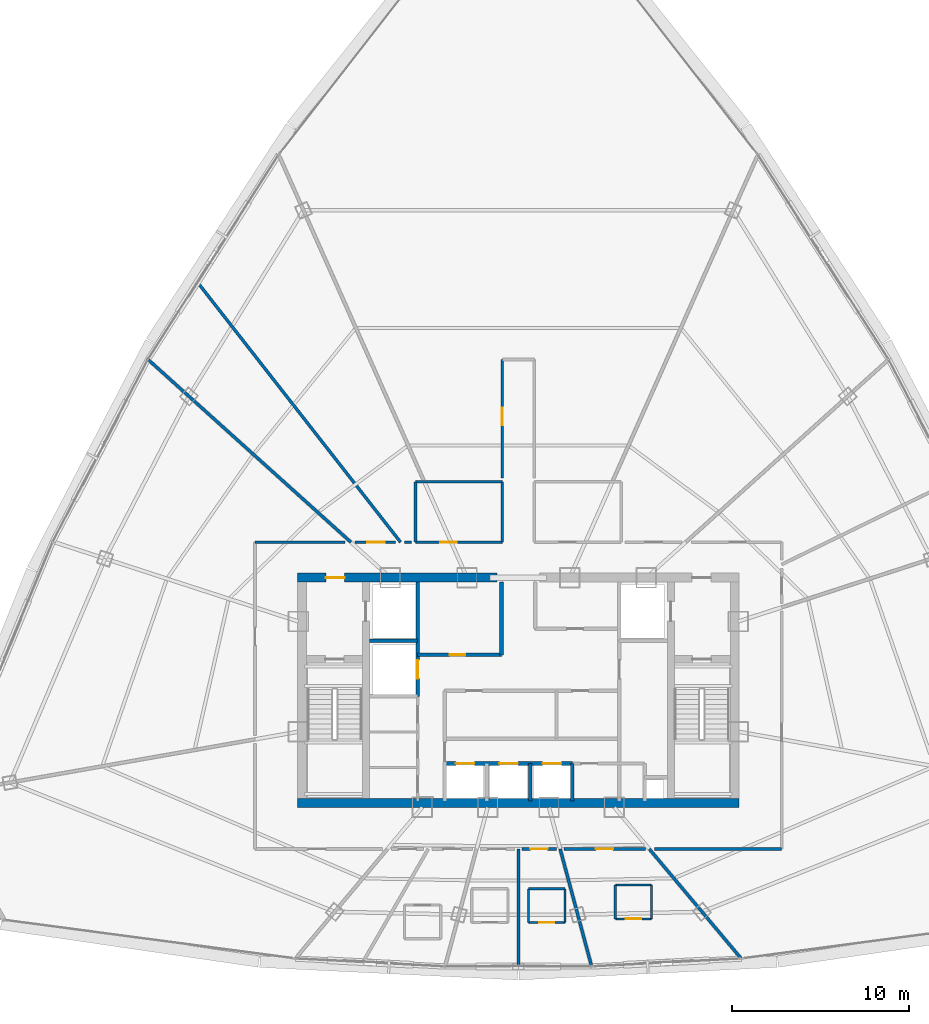
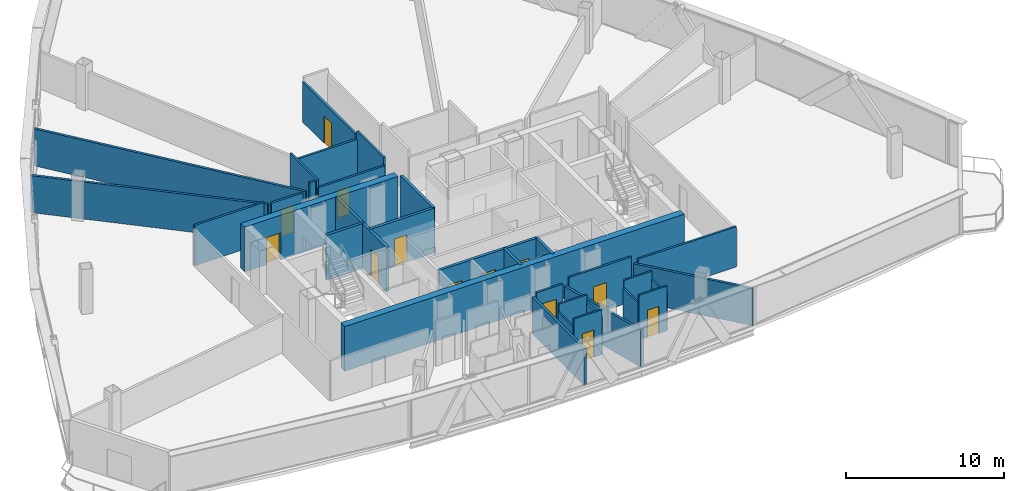
# One storey, part 32 of 37: 33 walls, 13 doors, 13 openings.
"""IFC4 building model written with IfcOpenShell, lengths in metres."""

from ifc_helpers import new_model, si_unit, direction, frame, frame_2d, origin, origin_with_axes, place, context, subcontext, project, spatial, rectangle, extrude, source, transform, mapped, material, layer, layer_set, type_object, element, fill, save


model = new_model("IFC4")

# Units and contexts
model_context = context("Model", 3, precision=1e-05, world=origin(), true_north=direction((0.0, 1.0)))
body_context = subcontext(model_context, "Body", "Model", "MODEL_VIEW")
ifc_project = project(units=[si_unit("LENGTHUNIT", "METRE"), si_unit("AREAUNIT", "SQUARE_METRE"), si_unit("VOLUMEUNIT", "CUBIC_METRE"), si_unit("PLANEANGLEUNIT", "RADIAN"), si_unit("MASSUNIT", "GRAM", prefix="KILO"), si_unit("THERMODYNAMICTEMPERATUREUNIT", "KELVIN"), si_unit("POWERUNIT", "WATT")], contexts=[model_context])

# Site, building, storey
site_placement = place(None, origin())
site = spatial("IfcSite", under=ifc_project, at=site_placement, CompositionType="ELEMENT")
building_placement = place(site_placement, origin())
building = spatial("IfcBuilding", under=site, at=building_placement, Name="Yunzhuo Pagoda Commons", CompositionType="ELEMENT")
storey_placement = place(building_placement, frame((0.0, 0.0, 277.56005859375)))
storey = spatial("IfcBuildingStorey", under=building, at=storey_placement, Name="L69", CompositionType="ELEMENT", Elevation=277.56005859375)

# Wall
ifc_material_1 = material(Name="Concrete C50", Category="concrete")
ifc_layer_1 = layer(ifc_material_1, 0.5)
ifc_layer_set_1 = layer_set([ifc_layer_1], Name="Concrete C50")
wall_type_1 = type_object("IfcWallType", Name="W-C03 Upper Core Shear Wall 500", PredefinedType="SHEAR", material=ifc_layer_set_1)
wall_1_placement = place(storey_placement, frame((35.550048828125, 27.5, 0.0), z_axis=(0.0, 0.0, 1.0), x_axis=(1.0, 0.0, 0.0)))
element("IfcWall", 1, at=wall_1_placement, inside=storey, type_object=wall_type_1, Name="L69 core shear wall S", PredefinedType="SHEAR", context=body_context, shape_type="SweptSolid", body=[
    extrude(rectangle(XDim=24.89990234375, YDim=0.5, at=frame_2d((12.449951171875, 0.0))), origin(), (0.0, 0.0, 1.0), 3.469970703125),
])

# Wall, opening, door
wall_2_placement = place(storey_placement, frame((35.550048828125, 40.199951171875, 0.0), z_axis=(0.0, 0.0, 1.0), x_axis=(1.0, 0.0, 0.0)))
wall_2 = element("IfcWall", 2, at=wall_2_placement, inside=storey, type_object=wall_type_1, Name="L69 core shear wall NW", PredefinedType="SHEAR", context=body_context, shape_type="SweptSolid", body=[
    extrude(rectangle(XDim=11.25, YDim=0.5, at=frame_2d((5.625, 0.0))), origin(), (0.0, 0.0, 1.0), 3.469970703125),
])
opening_1_placement = place(wall_2_placement, frame((1.60009765625, 0.0, 0.0)))
opening_1 = element("IfcOpeningElement", 3, at=opening_1_placement, cuts=wall_2, Name="Opening D-02", PredefinedType="OPENING", context=body_context, shape_type="SweptSolid", body=[
    extrude(rectangle(XDim=1.050048828125, YDim=2.10009765625, at=frame_2d((0.52490234375, 1.050048828125))), frame((0.0, 0.260009765625, 0.0), z_axis=(0.0, -1.0, 0.0), x_axis=(1.0, 0.0, 0.0)), (0.0, 0.0, 1.0), 0.52001953125),
])
ifc_material_2 = material(Name="Galvanized fire-resisting metal leaf")
door_type_1 = type_object("IfcDoorType", Name="D-02 Firefighting Lobby & Refuge Fire Door 1050x2100", OperationType="NOTDEFINED", PredefinedType="DOOR", material=ifc_material_2)
shared_shape_1 = source(origin(), body_context, "Body", "SweptSolid", [
    extrude(rectangle(XDim=1.050048828125, YDim=2.10009765625, at=frame_2d((0.52490234375, 1.050048828125))), frame((0.0, 0.02490234375, 0.0), z_axis=(0.0, -1.0, 0.0), x_axis=(1.0, 0.0, 0.0)), (0.0, 0.0, 1.0), 0.050048828125),
])
door_1_placement = place(opening_1_placement, frame((1.050048828125, 0.0, 0.0), z_axis=(0.0, 0.0, 1.0), x_axis=(-1.0, 0.0, 0.0)))
door_1 = element("IfcDoor", 4, at=door_1_placement, inside=storey, type_object=door_type_1, Name="L69 Firefighting Lobby 1 fire door", OperationType="SINGLE_SWING_LEFT", OverallHeight=2.10009765625, OverallWidth=1.050048828125, PredefinedType="DOOR", context=body_context, shape_type="MappedRepresentation", body=[
    mapped(shared_shape_1, transform((0.0, 0.0, 0.0), scale=1.0)),
])
fill(opening_1, door_1)

ifc_material_3 = material(Name="Gypsum plasterboard on acoustic stud")
ifc_layer_2 = layer(ifc_material_3, 0.14990234375)
ifc_layer_set_2 = layer_set([ifc_layer_2], Name="Gypsum plasterboard on acoustic stud")
wall_type_2 = type_object("IfcWallType", Name="W-COR3 High-Zone Rated Corridor Wall 150", PredefinedType="PARTITIONING", material=ifc_layer_set_2)
wall_3_placement = place(storey_placement, frame((42.199951171875, 42.199951171875, 0.0), z_axis=(0.0, 0.0, 1.0), x_axis=(1.0, 0.0, 0.0)))
wall_3 = element("IfcWall", 5, at=wall_3_placement, inside=storey, type_object=wall_type_2, Name="L69 interior wall IW-L69-TFWS", PredefinedType="PARTITIONING", context=body_context, shape_type="SweptSolid", body=[
    extrude(rectangle(XDim=4.900146484375, YDim=0.14990234375, at=frame_2d((2.4501953125, 0.0))), origin(), (0.0, 0.0, 1.0), 2.869873046875),
])
opening_2_placement = place(wall_3_placement, frame((1.39990234375, 0.0, 0.0)))
opening_2 = element("IfcOpeningElement", 6, at=opening_2_placement, cuts=wall_3, Name="Opening D-04", PredefinedType="OPENING", context=body_context, shape_type="SweptSolid", body=[
    extrude(rectangle(XDim=0.919921875, YDim=2.10009765625, at=frame_2d((0.4599609375, 1.050048828125))), frame((0.0, 0.0849609375, 0.0), z_axis=(0.0, -1.0, 0.0), x_axis=(1.0, 0.0, 0.0)), (0.0, 0.0, 1.0), 0.169921875),
])
ifc_material_4 = material(Name="Powder-coated aluminium and timber acoustic leaf", Category="wood")
door_type_2 = type_object("IfcDoorType", Name="D-04 Bedroom & Study Interior Door 920x2100", OperationType="NOTDEFINED", PredefinedType="DOOR", material=ifc_material_4)
shared_shape_2 = source(origin(), body_context, "Body", "SweptSolid", [
    extrude(rectangle(XDim=0.919921875, YDim=2.10009765625, at=frame_2d((0.4599609375, 1.050048828125))), frame((0.0, 0.02490234375, 0.0), z_axis=(0.0, -1.0, 0.0), x_axis=(1.0, 0.0, 0.0)), (0.0, 0.0, 1.0), 0.050048828125),
])
door_2_placement = place(opening_2_placement, frame((0.919921875, 0.0, 0.0), z_axis=(0.0, 0.0, 1.0), x_axis=(-1.0, 0.0, 0.0)))
door_2 = element("IfcDoor", 7, at=door_2_placement, inside=storey, type_object=door_type_2, Name="L69 laundry door", OperationType="SINGLE_SWING_LEFT", OverallHeight=2.10009765625, OverallWidth=0.919921875, PredefinedType="DOOR", context=body_context, shape_type="MappedRepresentation", body=[
    mapped(shared_shape_2, transform((0.0, 0.0, 0.0), scale=1.0)),
])
fill(opening_2, door_2)

# Walls
wall_4_placement = place(storey_placement, frame((42.199951171875, 45.60009765625, 0.0), z_axis=(0.0, 0.0, 1.0), x_axis=(1.0, 0.0, 0.0)))
element("IfcWall", 8, at=wall_4_placement, inside=storey, type_object=wall_type_2, Name="L69 interior wall IW-L69-TFWN", PredefinedType="PARTITIONING", context=body_context, shape_type="SweptSolid", body=[
    extrude(rectangle(XDim=4.900146484375, YDim=0.14990234375, at=frame_2d((2.4501953125, 0.0))), origin(), (0.0, 0.0, 1.0), 2.869873046875),
])
for number, where, z_axis, x_axis, name in (
    (9, (42.199951171875, 42.199951171875, 0.0), (0.0, 0.0, 1.0), (0.0, 1.0, 0.0), "L69 interior wall IW-L69-TFWW"),
    (10, (47.10009765625, 42.199951171875, 0.0), (0.0, 0.0, 1.0), (0.0, 1.0, 0.0), "L69 interior wall IW-L69-TFWE"),
):
    element("IfcWall", number, at=place(storey_placement, frame(where, z_axis=z_axis, x_axis=x_axis)), inside=storey, type_object=wall_type_2, Name=name, PredefinedType="PARTITIONING", context=body_context, shape_type="SweptSolid", body=[
        extrude(rectangle(XDim=3.400146484375, YDim=0.14990234375, at=frame_2d((1.7001953125, 0.0))), origin(), (0.0, 0.0, 1.0), 3.469970703125),
    ])
wall_5_placement = place(storey_placement, frame((33.14990234375, 42.199951171875, 0.0), z_axis=(0.0, 0.0, 1.0), x_axis=(1.0, 0.0, 0.0)))
element("IfcWall", 11, at=wall_5_placement, inside=storey, type_object=wall_type_2, Name="L69 interior wall IW-L69-CWL03", PredefinedType="PARTITIONING", context=body_context, shape_type="SweptSolid", body=[
    extrude(rectangle(XDim=5.0810546875, YDim=0.14990234375, at=frame_2d((2.54052734375, 0.0))), origin(), (0.0, 0.0, 1.0), 3.119873046875),
])

# Wall, opening, door
wall_6_placement = place(storey_placement, frame((38.779541015625, 42.199951171875, 0.0), z_axis=(0.0, 0.0, 1.0), x_axis=(1.0, 0.0, 0.0)))
wall_6 = element("IfcWall", 12, at=wall_6_placement, inside=storey, type_object=wall_type_2, Name="L69 interior wall IW-L69-CWL04", PredefinedType="PARTITIONING", context=body_context, shape_type="SweptSolid", body=[
    extrude(rectangle(XDim=2.30029296875, YDim=0.14990234375, at=frame_2d((1.150146484375, 0.0))), origin(), (0.0, 0.0, 1.0), 2.869873046875),
])
opening_3_placement = place(wall_6_placement, frame((0.705078125, 0.0, 0.0)))
opening_3 = element("IfcOpeningElement", 13, at=opening_3_placement, cuts=wall_6, Name="Opening D-08", PredefinedType="OPENING", context=body_context, shape_type="SweptSolid", body=[
    extrude(rectangle(XDim=0.97998046875, YDim=2.1201171875, at=frame_2d((0.489990234375, 1.06005859375))), frame((0.0, 0.0849609375, 0.0), z_axis=(0.0, -1.0, 0.0), x_axis=(1.0, 0.0, 0.0)), (0.0, 0.0, 1.0), 0.169921875),
])
door_type_3 = type_object("IfcDoorType", Name="D-08 High-Zone Suite Entrance Fire Door 980x2120", OperationType="NOTDEFINED", PredefinedType="DOOR", material=ifc_material_2)
shared_shape_3 = source(origin(), body_context, "Body", "SweptSolid", [
    extrude(rectangle(XDim=0.97998046875, YDim=2.1201171875, at=frame_2d((0.489990234375, 1.06005859375))), frame((0.0, 0.02490234375, 0.0), z_axis=(0.0, -1.0, 0.0), x_axis=(1.0, 0.0, 0.0)), (0.0, 0.0, 1.0), 0.050048828125),
])
door_3_placement = place(opening_3_placement, origin_with_axes())
door_3 = element("IfcDoor", 14, at=door_3_placement, inside=storey, type_object=door_type_3, Name="L69 unit 06 entrance door", OperationType="SINGLE_SWING_RIGHT", OverallHeight=2.1201171875, OverallWidth=0.97998046875, PredefinedType="DOOR", context=body_context, shape_type="MappedRepresentation", body=[
    mapped(shared_shape_3, transform((0.0, 0.0, 0.0), scale=1.0)),
])
fill(opening_3, door_3)

# Wall
wall_7_placement = place(storey_placement, frame((41.578857421875, 42.199951171875, 0.0), z_axis=(0.0, 0.0, 1.0), x_axis=(1.0, 0.0, 0.0)))
element("IfcWall", 15, at=wall_7_placement, inside=storey, type_object=wall_type_2, Name="L69 interior wall IW-L69-CWL05", PredefinedType="PARTITIONING", context=body_context, shape_type="SweptSolid", body=[
    extrude(rectangle(XDim=0.401123046875, YDim=0.14990234375, at=frame_2d((0.20068359375, 0.0))), origin(), (0.0, 0.0, 1.0), 3.469970703125),
])

# Wall, opening, door
wall_8_placement = place(storey_placement, frame((47.10009765625, 45.820068359375, 0.0), z_axis=(0.0, 0.0, 1.0), x_axis=(0.0, 1.0, 0.0)))
wall_8 = element("IfcWall", 16, at=wall_8_placement, inside=storey, type_object=wall_type_2, Name="L69 interior wall IW-L69-CWL06", PredefinedType="PARTITIONING", context=body_context, shape_type="SweptSolid", body=[
    extrude(rectangle(XDim=6.679931640625, YDim=0.14990234375, at=frame_2d((3.33984375, 0.0))), origin(), (0.0, 0.0, 1.0), 3.119873046875),
])
opening_4_placement = place(wall_8_placement, frame((2.985107421875, 0.0, 0.0)))
opening_4 = element("IfcOpeningElement", 17, at=opening_4_placement, cuts=wall_8, Name="Opening D-08", PredefinedType="OPENING", context=body_context, shape_type="SweptSolid", body=[
    extrude(rectangle(XDim=0.97998046875, YDim=2.1201171875, at=frame_2d((0.489990234375, 1.06005859375))), frame((0.0, 0.0849609375, 0.0), z_axis=(0.0, -1.0, 0.0), x_axis=(1.0, 0.0, 0.0)), (0.0, 0.0, 1.0), 0.169921875),
])
door_4_placement = place(opening_4_placement, origin_with_axes())
door_4 = element("IfcDoor", 18, at=door_4_placement, inside=storey, type_object=door_type_3, Name="L69 unit 04 entrance door", OperationType="SINGLE_SWING_RIGHT", OverallHeight=2.1201171875, OverallWidth=0.97998046875, PredefinedType="DOOR", context=body_context, shape_type="MappedRepresentation", body=[
    mapped(shared_shape_3, transform((0.0, 0.0, 0.0), scale=1.0)),
])
fill(opening_4, door_4)

# Wall
wall_9_placement = place(storey_placement, frame((62.85009765625, 24.89990234375, 0.0), z_axis=(0.0, 0.0, 1.0), x_axis=(-1.0, 0.0, 0.0)))
element("IfcWall", 19, at=wall_9_placement, inside=storey, type_object=wall_type_2, Name="L69 interior wall IW-L69-CWL14", PredefinedType="PARTITIONING", context=body_context, shape_type="SweptSolid", body=[
    extrude(rectangle(XDim=7.1787109375, YDim=0.14990234375, at=frame_2d((3.58935546875, 0.0))), origin(), (0.0, 0.0, 1.0), 3.119873046875),
])

# Wall, opening, door
wall_10_placement = place(storey_placement, frame((55.164306640625, 24.89990234375, 0.0), z_axis=(0.0, 0.0, 1.0), x_axis=(-1.0, 0.0, 0.0)))
wall_10 = element("IfcWall", 20, at=wall_10_placement, inside=storey, type_object=wall_type_2, Name="L69 interior wall IW-L69-CWL15", PredefinedType="PARTITIONING", context=body_context, shape_type="SweptSolid", body=[
    extrude(rectangle(XDim=4.57861328125, YDim=0.14990234375, at=frame_2d((2.289306640625, 0.0))), origin(), (0.0, 0.0, 1.0), 3.469970703125),
])
opening_5_placement = place(wall_10_placement, frame((1.818115234375, 0.0, 0.0)))
opening_5 = element("IfcOpeningElement", 21, at=opening_5_placement, cuts=wall_10, Name="Opening D-08", PredefinedType="OPENING", context=body_context, shape_type="SweptSolid", body=[
    extrude(rectangle(XDim=0.97998046875, YDim=2.1201171875, at=frame_2d((0.489990234375, 1.06005859375))), frame((0.0, 0.0849609375, 0.0), z_axis=(0.0, -1.0, 0.0), x_axis=(1.0, 0.0, 0.0)), (0.0, 0.0, 1.0), 0.169921875),
])
door_5_placement = place(opening_5_placement, origin_with_axes())
door_5 = element("IfcDoor", 22, at=door_5_placement, inside=storey, type_object=door_type_3, Name="L69 unit 13 entrance door", OperationType="SINGLE_SWING_LEFT", OverallHeight=2.1201171875, OverallWidth=0.97998046875, PredefinedType="DOOR", context=body_context, shape_type="MappedRepresentation", body=[
    mapped(shared_shape_3, transform((0.0, 0.0, 0.0), scale=1.0)),
])
fill(opening_5, door_5)

wall_11_placement = place(storey_placement, frame((50.13818359375, 24.89990234375, 0.0), z_axis=(0.0, 0.0, 1.0), x_axis=(-1.0, 0.0, 0.0)))
wall_11 = element("IfcWall", 23, at=wall_11_placement, inside=storey, type_object=wall_type_2, Name="L69 interior wall IW-L69-CWL16", PredefinedType="PARTITIONING", context=body_context, shape_type="SweptSolid", body=[
    extrude(rectangle(XDim=1.918212890625, YDim=0.14990234375, at=frame_2d((0.958984375, 0.0))), origin(), (0.0, 0.0, 1.0), 3.119873046875),
])
opening_6_placement = place(wall_11_placement, frame((0.484130859375, 0.0, 0.0)))
opening_6 = element("IfcOpeningElement", 24, at=opening_6_placement, cuts=wall_11, Name="Opening D-08", PredefinedType="OPENING", context=body_context, shape_type="SweptSolid", body=[
    extrude(rectangle(XDim=0.97998046875, YDim=2.1201171875, at=frame_2d((0.489990234375, 1.06005859375))), frame((0.0, 0.0849609375, 0.0), z_axis=(0.0, -1.0, 0.0), x_axis=(1.0, 0.0, 0.0)), (0.0, 0.0, 1.0), 0.169921875),
])
door_6_placement = place(opening_6_placement, origin_with_axes())
door_6 = element("IfcDoor", 25, at=door_6_placement, inside=storey, type_object=door_type_3, Name="L69 unit 12 entrance door", OperationType="SINGLE_SWING_RIGHT", OverallHeight=2.1201171875, OverallWidth=0.97998046875, PredefinedType="DOOR", context=body_context, shape_type="MappedRepresentation", body=[
    mapped(shared_shape_3, transform((0.0, 0.0, 0.0), scale=1.0)),
])
fill(opening_6, door_6)

ifc_layer_3 = layer(ifc_material_3, 0.1201171875)
ifc_layer_set_3 = layer_set([ifc_layer_3], Name="Gypsum plasterboard on acoustic stud")
wall_type_3 = type_object("IfcWallType", Name="W-PRT1 Suite & Bathroom Partition 120", PredefinedType="PARTITIONING", material=ifc_layer_set_3)
wall_12_placement = place(storey_placement, frame((48.576904296875, 20.758056640625, 0.0), z_axis=(0.0, 0.0, 1.0), x_axis=(1.0, 0.0, 0.0)))
wall_12 = element("IfcWall", 26, at=wall_12_placement, inside=storey, type_object=wall_type_3, Name="L69 interior wall IW-L69-B12S", PredefinedType="PARTITIONING", context=body_context, shape_type="SweptSolid", body=[
    extrude(rectangle(XDim=2.050048828125, YDim=0.1201171875, at=frame_2d((1.02490234375, 0.0))), origin(), (0.0, 0.0, 1.0), 3.469970703125),
])
opening_7_placement = place(wall_12_placement, frame((0.60009765625, 0.0, 0.0)))
opening_7 = element("IfcOpeningElement", 27, at=opening_7_placement, cuts=wall_12, Name="Opening D-05", PredefinedType="OPENING", context=body_context, shape_type="SweptSolid", body=[
    extrude(rectangle(XDim=0.85009765625, YDim=2.10009765625, at=frame_2d((0.425048828125, 1.050048828125))), frame((0.0, 0.070068359375, 0.0), z_axis=(0.0, -1.0, 0.0), x_axis=(1.0, 0.0, 0.0)), (0.0, 0.0, 1.0), 0.14013671875),
])
door_type_4 = type_object("IfcDoorType", Name="D-05 En-Suite Bathroom Door 850x2100", OperationType="NOTDEFINED", PredefinedType="DOOR", material=ifc_material_4)
shared_shape_4 = source(origin(), body_context, "Body", "SweptSolid", [
    extrude(rectangle(XDim=0.85009765625, YDim=2.10009765625, at=frame_2d((0.425048828125, 1.050048828125))), frame((0.0, 0.02490234375, 0.0), z_axis=(0.0, -1.0, 0.0), x_axis=(1.0, 0.0, 0.0)), (0.0, 0.0, 1.0), 0.050048828125),
])
door_7_placement = place(opening_7_placement, frame((0.85009765625, 0.0, 0.0), z_axis=(0.0, 0.0, 1.0), x_axis=(-1.0, 0.0, 0.0)))
door_7 = element("IfcDoor", 28, at=door_7_placement, inside=storey, type_object=door_type_4, Name="L69 unit 12 bathroom door", OperationType="SINGLE_SWING_RIGHT", OverallHeight=2.10009765625, OverallWidth=0.85009765625, PredefinedType="DOOR", context=body_context, shape_type="MappedRepresentation", body=[
    mapped(shared_shape_4, transform((0.0, 0.0, 0.0), scale=1.0)),
])
fill(opening_7, door_7)

# Walls
wall_13_placement = place(storey_placement, frame((50.626953125, 20.758056640625, 0.0), z_axis=(0.0, 0.0, 1.0), x_axis=(0.0, 1.0, 0.0)))
element("IfcWall", 29, at=wall_13_placement, inside=storey, type_object=wall_type_3, Name="L69 interior wall IW-L69-B12E", PredefinedType="PARTITIONING", context=body_context, shape_type="SweptSolid", body=[
    extrude(rectangle(XDim=1.89990234375, YDim=0.1201171875, at=frame_2d((0.949951171875, 0.0))), origin(), (0.0, 0.0, 1.0), 2.869873046875),
])
wall_14_placement = place(storey_placement, frame((50.626953125, 22.657958984375, 0.0), z_axis=(0.0, 0.0, 1.0), x_axis=(-1.0, 0.0, 0.0)))
element("IfcWall", 30, at=wall_14_placement, inside=storey, type_object=wall_type_3, Name="L69 interior wall IW-L69-B12N", PredefinedType="PARTITIONING", context=body_context, shape_type="SweptSolid", body=[
    extrude(rectangle(XDim=2.050048828125, YDim=0.1201171875, at=frame_2d((1.02490234375, 0.0))), origin(), (0.0, 0.0, 1.0), 3.469970703125),
])
wall_15_placement = place(storey_placement, frame((48.576904296875, 22.657958984375, 0.0), z_axis=(0.0, 0.0, 1.0), x_axis=(0.0, -1.0, 0.0)))
element("IfcWall", 31, at=wall_15_placement, inside=storey, type_object=wall_type_3, Name="L69 interior wall IW-L69-B12W", PredefinedType="PARTITIONING", context=body_context, shape_type="SweptSolid", body=[
    extrude(rectangle(XDim=1.89990234375, YDim=0.1201171875, at=frame_2d((0.949951171875, 0.0))), origin(), (0.0, 0.0, 1.0), 2.869873046875),
])

# Wall, opening, door
wall_16_placement = place(storey_placement, frame((53.467041015625, 20.962890625, 0.0), z_axis=(0.0, 0.0, 1.0), x_axis=(1.0, 0.0, 0.0)))
wall_16 = element("IfcWall", 32, at=wall_16_placement, inside=storey, type_object=wall_type_3, Name="L69 interior wall IW-L69-B13S", PredefinedType="PARTITIONING", context=body_context, shape_type="SweptSolid", body=[
    extrude(rectangle(XDim=2.050048828125, YDim=0.1201171875, at=frame_2d((1.02490234375, 0.0))), origin(), (0.0, 0.0, 1.0), 3.469970703125),
])
opening_8_placement = place(wall_16_placement, frame((0.60009765625, 0.0, 0.0)))
opening_8 = element("IfcOpeningElement", 33, at=opening_8_placement, cuts=wall_16, Name="Opening D-05", PredefinedType="OPENING", context=body_context, shape_type="SweptSolid", body=[
    extrude(rectangle(XDim=0.85009765625, YDim=2.10009765625, at=frame_2d((0.425048828125, 1.050048828125))), frame((0.0, 0.070068359375, 0.0), z_axis=(0.0, -1.0, 0.0), x_axis=(1.0, 0.0, 0.0)), (0.0, 0.0, 1.0), 0.14013671875),
])
door_8_placement = place(opening_8_placement, frame((0.85009765625, 0.0, 0.0), z_axis=(0.0, 0.0, 1.0), x_axis=(-1.0, 0.0, 0.0)))
door_8 = element("IfcDoor", 34, at=door_8_placement, inside=storey, type_object=door_type_4, Name="L69 unit 13 bathroom door", OperationType="SINGLE_SWING_LEFT", OverallHeight=2.10009765625, OverallWidth=0.85009765625, PredefinedType="DOOR", context=body_context, shape_type="MappedRepresentation", body=[
    mapped(shared_shape_4, transform((0.0, 0.0, 0.0), scale=1.0)),
])
fill(opening_8, door_8)

# Walls
wall_17_placement = place(storey_placement, frame((55.51708984375, 20.962890625, 0.0), z_axis=(0.0, 0.0, 1.0), x_axis=(0.0, 1.0, 0.0)))
element("IfcWall", 35, at=wall_17_placement, inside=storey, type_object=wall_type_3, Name="L69 interior wall IW-L69-B13E", PredefinedType="PARTITIONING", context=body_context, shape_type="SweptSolid", body=[
    extrude(rectangle(XDim=1.900146484375, YDim=0.1201171875, at=frame_2d((0.9501953125, 0.0))), origin(), (0.0, 0.0, 1.0), 2.869873046875),
])
wall_18_placement = place(storey_placement, frame((55.51708984375, 22.863037109375, 0.0), z_axis=(0.0, 0.0, 1.0), x_axis=(-1.0, 0.0, 0.0)))
element("IfcWall", 36, at=wall_18_placement, inside=storey, type_object=wall_type_3, Name="L69 interior wall IW-L69-B13N", PredefinedType="PARTITIONING", context=body_context, shape_type="SweptSolid", body=[
    extrude(rectangle(XDim=2.050048828125, YDim=0.1201171875, at=frame_2d((1.02490234375, 0.0))), origin(), (0.0, 0.0, 1.0), 3.469970703125),
])
wall_19_placement = place(storey_placement, frame((53.467041015625, 22.863037109375, 0.0), z_axis=(0.0, 0.0, 1.0), x_axis=(0.0, -1.0, 0.0)))
element("IfcWall", 37, at=wall_19_placement, inside=storey, type_object=wall_type_3, Name="L69 interior wall IW-L69-B13W", PredefinedType="PARTITIONING", context=body_context, shape_type="SweptSolid", body=[
    extrude(rectangle(XDim=1.900146484375, YDim=0.1201171875, at=frame_2d((0.9501953125, 0.0))), origin(), (0.0, 0.0, 1.0), 2.869873046875),
])
ifc_layer_4 = layer(ifc_material_3, 0.169921875)
ifc_layer_set_4 = layer_set([ifc_layer_4], Name="Gypsum plasterboard on acoustic stud")
wall_type_4 = type_object("IfcWallType", Name="W-PRT4 High-Zone Demising Wall 170", PredefinedType="PARTITIONING", material=ifc_layer_set_4)
wall_20_placement = place(storey_placement, frame((41.359130859375, 42.199951171875, 0.0), z_axis=(0.0, 0.0, 1.0), x_axis=(-0.615658553978, 0.788013036005, 0.0)))
element("IfcWall", 38, at=wall_20_placement, inside=storey, type_object=wall_type_4, Name="L69 interior wall IW-L69-RAD06", PredefinedType="PARTITIONING", context=body_context, shape_type="SweptSolid", body=[
    extrude(rectangle(XDim=18.608642578125, YDim=0.169921875, at=frame_2d((9.30419921875, 0.0))), origin(), (0.0, 0.0, 1.0), 2.869873046875),
])
wall_21_placement = place(storey_placement, frame((38.559814453125, 42.199951171875, 0.0), z_axis=(0.0, 0.0, 1.0), x_axis=(-0.743145118403, 0.669130281032, 0.0)))
element("IfcWall", 39, at=wall_21_placement, inside=storey, type_object=wall_type_4, Name="L69 interior wall IW-L69-RAD07", PredefinedType="PARTITIONING", context=body_context, shape_type="SweptSolid", body=[
    extrude(rectangle(XDim=15.3974609375, YDim=0.169921875, at=frame_2d((7.69873046875, 0.0))), origin(), (0.0, 0.0, 1.0), 2.869873046875),
])
wall_22_placement = place(storey_placement, frame((48.0, 24.89990234375, 0.0), z_axis=(0.0, 0.0, 1.0), x_axis=(0.0, -1.0, 0.0)))
element("IfcWall", 40, at=wall_22_placement, inside=storey, type_object=wall_type_4, Name="L69 interior wall IW-L69-RAD12", PredefinedType="PARTITIONING", context=body_context, shape_type="SweptSolid", body=[
    extrude(rectangle(XDim=6.624755859375, YDim=0.169921875, at=frame_2d((3.3125, 0.0))), origin(), (0.0, 0.0, 1.0), 2.869873046875),
])
wall_23_placement = place(storey_placement, frame((50.35791015625, 24.89990234375, 0.0), z_axis=(0.0, 0.0, 1.0), x_axis=(0.258825643191, -0.965924058312, 0.0)))
element("IfcWall", 41, at=wall_23_placement, inside=storey, type_object=wall_type_4, Name="L69 interior wall IW-L69-RAD13", PredefinedType="PARTITIONING", context=body_context, shape_type="SweptSolid", body=[
    extrude(rectangle(XDim=6.8583984375, YDim=0.169921875, at=frame_2d((3.42919921875, 0.0))), origin(), (0.0, 0.0, 1.0), 2.869873046875),
])
wall_24_placement = place(storey_placement, frame((55.384033203125, 24.89990234375, 0.0), z_axis=(0.0, 0.0, 1.0), x_axis=(0.642788791497, -0.76604345146, 0.0)))
element("IfcWall", 42, at=wall_24_placement, inside=storey, type_object=wall_type_4, Name="L69 interior wall IW-L69-RAD14", PredefinedType="PARTITIONING", context=body_context, shape_type="SweptSolid", body=[
    extrude(rectangle(XDim=8.065673828125, YDim=0.169921875, at=frame_2d((4.03271484375, 0.0))), origin(), (0.0, 0.0, 1.0), 2.869873046875),
])

# Wall, opening, door
ifc_material_5 = material(Name="Concrete C40", Category="concrete")
ifc_layer_5 = layer(ifc_material_5, 0.199951171875)
ifc_layer_set_5 = layer_set([ifc_layer_5], Name="Concrete C40")
wall_type_5 = type_object("IfcWallType", Name="W-SHF Shaft & Stair Enclosure Wall 200", PredefinedType="SOLIDWALL", material=ifc_layer_set_5)
wall_25_placement = place(storey_placement, frame((42.320068359375, 33.5, 0.0), z_axis=(0.0, 0.0, 1.0), x_axis=(0.0, 1.0, 0.0)))
wall_25 = element("IfcWall", 43, at=wall_25_placement, inside=storey, type_object=wall_type_5, Name="L69 interior wall IW-L69-FL1E", PredefinedType="SOLIDWALL", context=body_context, shape_type="SweptSolid", body=[
    extrude(rectangle(XDim=6.449951171875, YDim=0.199951171875, at=frame_2d((3.22509765625, 0.0))), origin(), (0.0, 0.0, 1.0), 3.469970703125),
])
opening_9_placement = place(wall_25_placement, frame((1.0, 0.0, 0.0)))
opening_9 = element("IfcOpeningElement", 44, at=opening_9_placement, cuts=wall_25, Name="Opening LD-02", PredefinedType="OPENING", context=body_context, shape_type="SweptSolid", body=[
    extrude(rectangle(XDim=1.050048828125, YDim=2.10009765625, at=frame_2d((0.52490234375, 1.050048828125))), frame((0.0, 0.10986328125, 0.0), z_axis=(0.0, -1.0, 0.0), x_axis=(1.0, 0.0, 0.0)), (0.0, 0.0, 1.0), 0.219970703125),
])
door_type_5 = type_object("IfcDoorType", Name="LD-02 Passenger Lift Landing Door 1050x2100", OperationType="DOUBLE_DOOR_SLIDING", PredefinedType="DOOR", material=ifc_material_2)
door_9_placement = place(opening_9_placement, origin_with_axes())
door_9 = element("IfcDoor", 45, at=door_9_placement, inside=storey, type_object=door_type_5, Name="L69 Service lift SL-1 landing door", OperationType="DOUBLE_DOOR_SLIDING", OverallHeight=2.10009765625, OverallWidth=1.050048828125, PredefinedType="DOOR", context=body_context, shape_type="MappedRepresentation", body=[
    mapped(shared_shape_1, transform((0.0, 0.0, 0.0), scale=1.0)),
])
fill(opening_9, door_9)

# Wall
wall_26_placement = place(storey_placement, frame((39.60009765625, 36.64990234375, 0.0), z_axis=(0.0, 0.0, 1.0), x_axis=(1.0, 0.0, 0.0)))
element("IfcWall", 46, at=wall_26_placement, inside=storey, type_object=wall_type_5, Name="L69 interior wall IW-L69-FL1S", PredefinedType="SOLIDWALL", context=body_context, shape_type="SweptSolid", body=[
    extrude(rectangle(XDim=2.719970703125, YDim=0.199951171875, at=frame_2d((1.35986328125, 0.0))), origin(), (0.0, 0.0, 1.0), 3.469970703125),
])

# Wall, opening, door
wall_27_placement = place(storey_placement, frame((42.320068359375, 35.85009765625, 0.0), z_axis=(0.0, 0.0, 1.0), x_axis=(1.0, 0.0, 0.0)))
wall_27 = element("IfcWall", 47, at=wall_27_placement, inside=storey, type_object=wall_type_5, Name="L69 interior wall IW-L69-LBNW", PredefinedType="SOLIDWALL", context=body_context, shape_type="SweptSolid", body=[
    extrude(rectangle(XDim=4.72998046875, YDim=0.199951171875, at=frame_2d((2.364990234375, 0.0))), origin(), (0.0, 0.0, 1.0), 3.469970703125),
])
opening_10_placement = place(wall_27_placement, frame((1.800048828125, 0.0, 0.0)))
opening_10 = element("IfcOpeningElement", 48, at=opening_10_placement, cuts=wall_27, Name="Opening D-03", PredefinedType="OPENING", context=body_context, shape_type="SweptSolid", body=[
    extrude(rectangle(XDim=0.89990234375, YDim=2.10009765625, at=frame_2d((0.449951171875, 1.050048828125))), frame((0.0, 0.10986328125, 0.0), z_axis=(0.0, -1.0, 0.0), x_axis=(1.0, 0.0, 0.0)), (0.0, 0.0, 1.0), 0.219970703125),
])
door_type_6 = type_object("IfcDoorType", Name="D-03 Core Service Fire Door 900x2100", OperationType="NOTDEFINED", PredefinedType="DOOR", material=ifc_material_2)
shared_shape_5 = source(origin(), body_context, "Body", "SweptSolid", [
    extrude(rectangle(XDim=0.89990234375, YDim=2.10009765625, at=frame_2d((0.449951171875, 1.050048828125))), frame((0.0, 0.02490234375, 0.0), z_axis=(0.0, -1.0, 0.0), x_axis=(1.0, 0.0, 0.0)), (0.0, 0.0, 1.0), 0.050048828125),
])
door_10_placement = place(opening_10_placement, frame((0.89990234375, 0.0, 0.0), z_axis=(0.0, 0.0, 1.0), x_axis=(-1.0, 0.0, 0.0)))
door_10 = element("IfcDoor", 49, at=door_10_placement, inside=storey, type_object=door_type_6, Name="L69 core west store door", OperationType="SINGLE_SWING_LEFT", OverallHeight=2.10009765625, OverallWidth=0.89990234375, PredefinedType="DOOR", context=body_context, shape_type="MappedRepresentation", body=[
    mapped(shared_shape_5, transform((0.0, 0.0, 0.0), scale=1.0)),
])
fill(opening_10, door_10)

# Wall
wall_28_placement = place(storey_placement, frame((47.050048828125, 35.85009765625, 0.0), z_axis=(0.0, 0.0, 1.0), x_axis=(0.0, 1.0, 0.0)))
element("IfcWall", 50, at=wall_28_placement, inside=storey, type_object=wall_type_5, Name="L69 interior wall IW-L69-THRW", PredefinedType="SOLIDWALL", context=body_context, shape_type="SweptSolid", body=[
    extrude(rectangle(XDim=4.099853515625, YDim=0.199951171875, at=frame_2d((2.0498046875, 0.0))), origin(), (0.0, 0.0, 1.0), 3.469970703125),
])

# Wall, openings, doors
wall_29_placement = place(storey_placement, frame((43.85009765625, 29.719970703125, 0.0), z_axis=(0.0, 0.0, 1.0), x_axis=(1.0, 0.0, 0.0)))
wall_29 = element("IfcWall", 51, at=wall_29_placement, inside=storey, type_object=wall_type_5, Name="L69 interior wall IW-L69-PLHN", PredefinedType="SOLIDWALL", context=body_context, shape_type="SweptSolid", body=[
    extrude(rectangle(XDim=7.199951171875, YDim=0.199951171875, at=frame_2d((3.60009765625, 0.0))), origin(), (0.0, 0.0, 1.0), 3.469970703125),
])
opening_11_placement = place(wall_29_placement, frame((0.625, 0.0, 0.0)))
opening_11 = element("IfcOpeningElement", 52, at=opening_11_placement, cuts=wall_29, Name="Opening LD-02", PredefinedType="OPENING", context=body_context, shape_type="SweptSolid", body=[
    extrude(rectangle(XDim=1.050048828125, YDim=2.10009765625, at=frame_2d((0.52490234375, 1.050048828125))), frame((0.0, 0.10986328125, 0.0), z_axis=(0.0, -1.0, 0.0), x_axis=(1.0, 0.0, 0.0)), (0.0, 0.0, 1.0), 0.219970703125),
])
opening_12_placement = place(wall_29_placement, frame((3.074951171875, 0.0, 0.0)))
opening_12 = element("IfcOpeningElement", 53, at=opening_12_placement, cuts=wall_29, Name="Opening LD-02", PredefinedType="OPENING", context=body_context, shape_type="SweptSolid", body=[
    extrude(rectangle(XDim=1.050048828125, YDim=2.10009765625, at=frame_2d((0.52490234375, 1.050048828125))), frame((0.0, 0.10986328125, 0.0), z_axis=(0.0, -1.0, 0.0), x_axis=(1.0, 0.0, 0.0)), (0.0, 0.0, 1.0), 0.219970703125),
])
opening_13_placement = place(wall_29_placement, frame((5.52490234375, 0.0, 0.0)))
opening_13 = element("IfcOpeningElement", 54, at=opening_13_placement, cuts=wall_29, Name="Opening LD-02", PredefinedType="OPENING", context=body_context, shape_type="SweptSolid", body=[
    extrude(rectangle(XDim=1.050048828125, YDim=2.10009765625, at=frame_2d((0.52490234375, 1.050048828125))), frame((0.0, 0.10986328125, 0.0), z_axis=(0.0, -1.0, 0.0), x_axis=(1.0, 0.0, 0.0)), (0.0, 0.0, 1.0), 0.219970703125),
])
door_11_placement = place(opening_11_placement, origin_with_axes())
door_11 = element("IfcDoor", 55, at=door_11_placement, inside=storey, type_object=door_type_5, Name="L69 Passenger lift PL-H1 landing door", OperationType="DOUBLE_DOOR_SLIDING", OverallHeight=2.10009765625, OverallWidth=1.050048828125, PredefinedType="DOOR", context=body_context, shape_type="MappedRepresentation", body=[
    mapped(shared_shape_1, transform((0.0, 0.0, 0.0), scale=1.0)),
])
fill(opening_11, door_11)
door_12_placement = place(opening_12_placement, origin_with_axes())
door_12 = element("IfcDoor", 56, at=door_12_placement, inside=storey, type_object=door_type_5, Name="L69 Passenger lift PL-H2 landing door", OperationType="DOUBLE_DOOR_SLIDING", OverallHeight=2.10009765625, OverallWidth=1.050048828125, PredefinedType="DOOR", context=body_context, shape_type="MappedRepresentation", body=[
    mapped(shared_shape_1, transform((0.0, 0.0, 0.0), scale=1.0)),
])
fill(opening_12, door_12)
door_13_placement = place(opening_13_placement, origin_with_axes())
door_13 = element("IfcDoor", 57, at=door_13_placement, inside=storey, type_object=door_type_5, Name="L69 Passenger lift PL-H3 landing door", OperationType="DOUBLE_DOOR_SLIDING", OverallHeight=2.10009765625, OverallWidth=1.050048828125, PredefinedType="DOOR", context=body_context, shape_type="MappedRepresentation", body=[
    mapped(shared_shape_1, transform((0.0, 0.0, 0.0), scale=1.0)),
])
fill(opening_13, door_13)

# Walls
for number, where, z_axis, x_axis, name in (
    (58, (51.050048828125, 27.60009765625, 0.0), (0.0, 0.0, 1.0), (0.0, 1.0, 0.0), "L69 interior wall IW-L69-PLHE"),
    (59, (48.675048828125, 27.60009765625, 0.0), (0.0, 0.0, 1.0), (0.0, 1.0, 0.0), "L69 interior wall IW-L69-PLHD2"),
):
    element("IfcWall", number, at=place(storey_placement, frame(where, z_axis=z_axis, x_axis=x_axis)), inside=storey, type_object=wall_type_5, Name=name, PredefinedType="SOLIDWALL", context=body_context, shape_type="SweptSolid", body=[
        extrude(rectangle(XDim=2.119873046875, YDim=0.199951171875, at=frame_2d((1.06005859375, 0.0))), origin(), (0.0, 0.0, 1.0), 3.469970703125),
    ])

save(model, "model.ifc")
